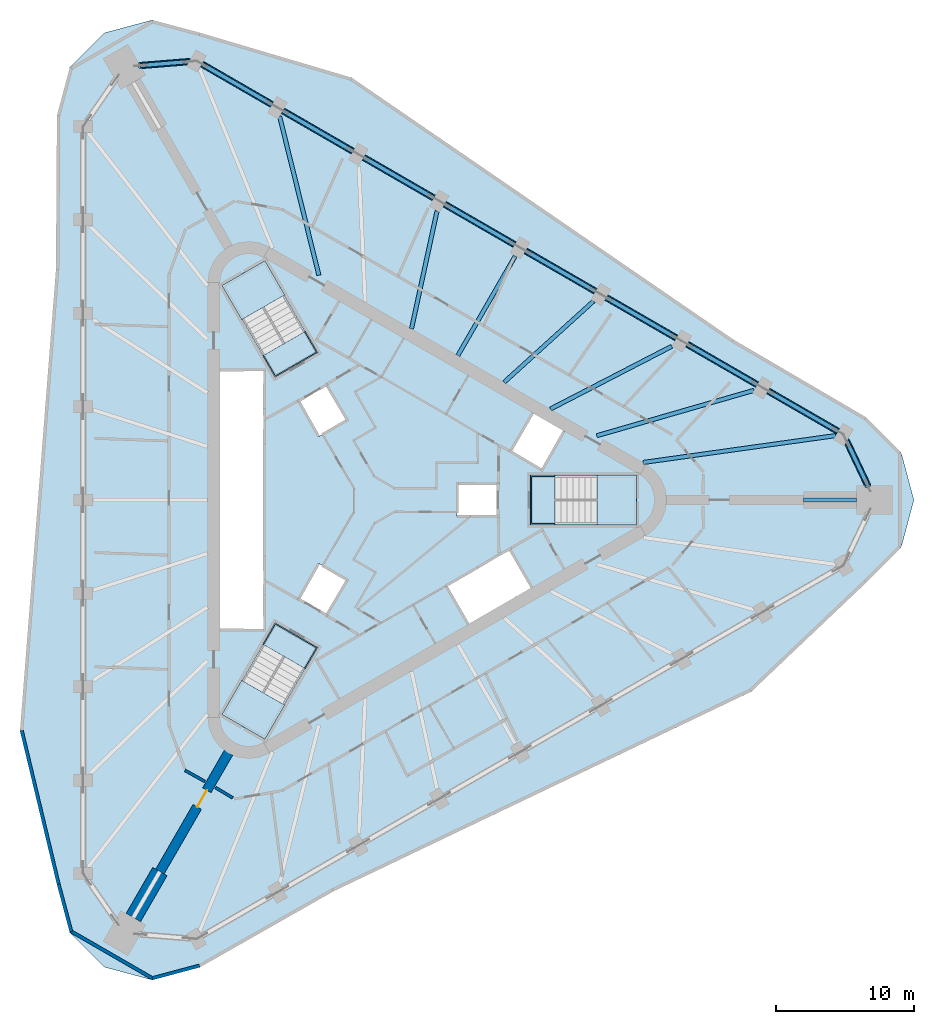
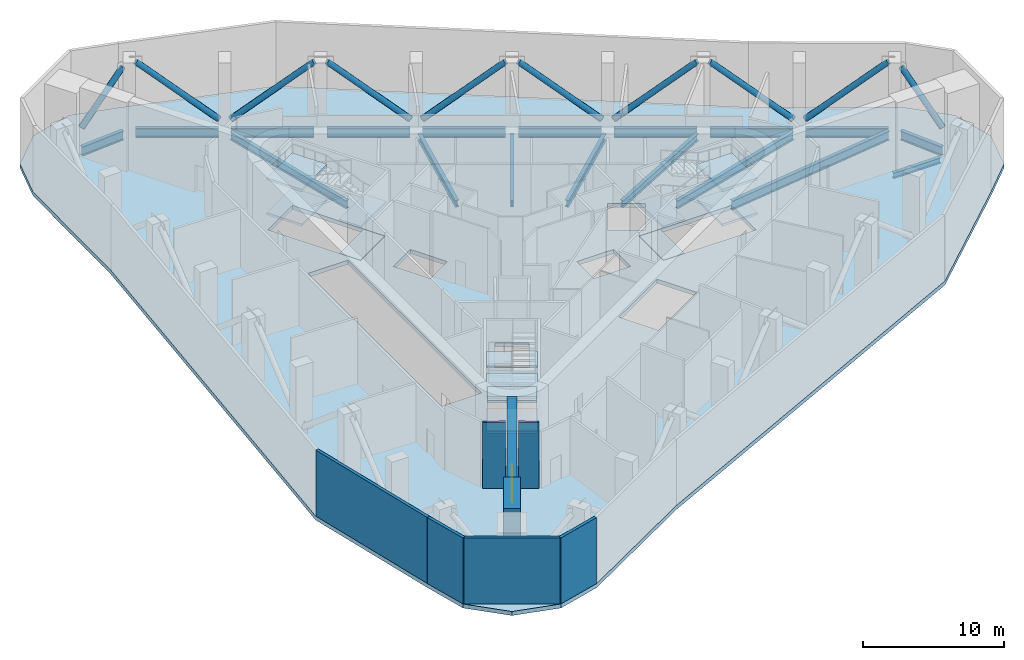
# One storey, part 2 of 12: 18 beams, 13 slabs, 10 members, 8 walls, 1 door, 1 opening, 3 elements without a shape of their own.
"""IFC4 building model written with IfcOpenShell, lengths in metres."""

from ifc_helpers import new_model, si_unit, direction, frame, frame_2d, origin, origin_2d, place, context, subcontext, project, spatial, polyline, rectangle, hollow_circle, i_section, outline, extrude, material, layer, layer_set, material_profile, profile_set, type_object, element, fill, aggregate, save


model = new_model("IFC4")

# Units and contexts
model_context = context("Model", 3, precision=1e-05, world=origin(), true_north=direction((0.0, 1.0)))
body_context = subcontext(model_context, "Body", "Model", "MODEL_VIEW")
ifc_project = project(units=[si_unit("LENGTHUNIT", "METRE"), si_unit("AREAUNIT", "SQUARE_METRE"), si_unit("VOLUMEUNIT", "CUBIC_METRE"), si_unit("PLANEANGLEUNIT", "RADIAN"), si_unit("MASSUNIT", "GRAM", prefix="KILO")], contexts=[model_context])

# Site, building, storey
site_placement = place(None, origin())
site = spatial("IfcSite", under=ifc_project, at=site_placement, CompositionType="ELEMENT")
building_placement = place(site_placement, origin())
building = spatial("IfcBuilding", under=site, at=building_placement, Name="Tanit Gate Tower", CompositionType="ELEMENT")
storey_placement = place(building_placement, frame((0.0, 0.0, 292.699951171875)))
storey = spatial("IfcBuildingStorey", under=building, at=storey_placement, Name="L65", CompositionType="ELEMENT", Elevation=292.699951171875)

# Beams
ifc_material_1 = material(Name="Steel S460", Category="steel")
ifc_material_profile_1 = material_profile(ifc_material_1, i_section(OverallWidth=0.302978515625, OverallDepth=0.81396484375, WebThickness=0.02099609375, FlangeThickness=0.0400390625, FilletRadius=0.030029296875, at=origin_2d()), Name="HEM 800")
ifc_profile_set_1 = profile_set([ifc_material_profile_1], Name="Steel S460")
beam_type_1 = type_object("IfcBeamType", Name="BELT TRUSS CHORD HEM 800 S460", PredefinedType="BEAM", material=ifc_profile_set_1)
beam_1_placement = place(storey_placement, frame((35.77197265625, 1.050048828125, -0.7568359375), z_axis=(-0.428790138655, 0.903404127172, 0.0), x_axis=(-0.903404127172, -0.428790138655, 0.0)))
element("IfcBeam", 1, at=beam_1_placement, inside=storey, type_object=beam_type_1, Name="BELT TRUSS CHORD", PredefinedType="BEAM", context=body_context, shape_type="SweptSolid", body=[
    extrude(i_section(OverallWidth=0.302978515625, OverallDepth=0.81396484375, WebThickness=0.02099609375, FlangeThickness=0.0400390625, FilletRadius=0.030029296875, at=origin_2d()), origin(), (0.0, 0.0, 1.0), 3.54833984375),
])
for number, where, z_axis, x_axis, name in (
    (2, (33.62646484375, 4.974609375, -0.7568359375), (-0.866023543838, 0.500003221507, 0.0), (-0.500003221507, -0.866023543838, 0.0), "BELT TRUSS CHORD"),
    (3, (27.762451171875, 8.360107421875, -0.7568359375), (-0.866023543838, 0.500003221507, 0.0), (-0.500003221507, -0.866023543838, 0.0), "BELT TRUSS CHORD"),
    (4, (21.898681640625, 11.74560546875, -0.7568359375), (-0.866023543838, 0.500003221507, 0.0), (-0.500003221507, -0.866023543838, 0.0), "BELT TRUSS CHORD"),
    (5, (16.034912109375, 15.131103515625, -0.7568359375), (-0.866023543838, 0.500003221507, 0.0), (-0.500003221507, -0.866023543838, 0.0), "BELT TRUSS CHORD"),
):
    element("IfcBeam", number, at=place(storey_placement, frame(where, z_axis=z_axis, x_axis=x_axis)), inside=storey, type_object=beam_type_1, Name=name, PredefinedType="BEAM", context=body_context, shape_type="SweptSolid", body=[
        extrude(i_section(OverallWidth=0.302978515625, OverallDepth=0.81396484375, WebThickness=0.02099609375, FlangeThickness=0.0400390625, FilletRadius=0.030029296875, at=origin_2d()), origin(), (0.0, 0.0, 1.0), 5.87109375),
    ])
beam_2_placement = place(storey_placement, frame((10.1708984375, 18.5166015625, -0.7568359375), z_axis=(-0.866013147201, 0.500021228425, 0.0), x_axis=(-0.500021228425, -0.866013147201, 0.0)))
element("IfcBeam", 6, at=beam_2_placement, inside=storey, type_object=beam_type_1, Name="BELT TRUSS CHORD", PredefinedType="BEAM", context=body_context, shape_type="SweptSolid", body=[
    extrude(i_section(OverallWidth=0.302978515625, OverallDepth=0.81396484375, WebThickness=0.02099609375, FlangeThickness=0.0400390625, FilletRadius=0.030029296875, at=origin_2d()), origin(), (0.0, 0.0, 1.0), 5.870849609375),
])
for number, where, z_axis, x_axis, name in (
    (7, (4.30712890625, 21.902099609375, -0.7568359375), (-0.866023543838, 0.500003221507, 0.0), (-0.500003221507, -0.866023543838, 0.0), "BELT TRUSS CHORD"),
    (8, (-1.556640625, 25.28759765625, -0.7568359375), (-0.866023543838, 0.500003221507, 0.0), (-0.500003221507, -0.866023543838, 0.0), "BELT TRUSS CHORD"),
    (9, (-7.42041015625, 28.673095703125, -0.7568359375), (-0.866023543838, 0.500003221507, 0.0), (-0.500003221507, -0.866023543838, 0.0), "BELT TRUSS CHORD"),
):
    element("IfcBeam", number, at=place(storey_placement, frame(where, z_axis=z_axis, x_axis=x_axis)), inside=storey, type_object=beam_type_1, Name=name, PredefinedType="BEAM", context=body_context, shape_type="SweptSolid", body=[
        extrude(i_section(OverallWidth=0.302978515625, OverallDepth=0.81396484375, WebThickness=0.02099609375, FlangeThickness=0.0400390625, FilletRadius=0.030029296875, at=origin_2d()), origin(), (0.0, 0.0, 1.0), 5.87109375),
    ])
beam_3_placement = place(storey_placement, frame((-13.439697265625, 31.78955078125, -0.7568359375), z_axis=(-0.996765644219, -0.080363241006, 0.0), x_axis=(0.080363241006, -0.996765644219, 0.0)))
element("IfcBeam", 10, at=beam_3_placement, inside=storey, type_object=beam_type_1, Name="BELT TRUSS CHORD", PredefinedType="BEAM", context=body_context, shape_type="SweptSolid", body=[
    extrude(i_section(OverallWidth=0.302978515625, OverallDepth=0.81396484375, WebThickness=0.02099609375, FlangeThickness=0.0400390625, FilletRadius=0.030029296875, at=origin_2d()), origin(), (0.0, 0.0, 1.0), 3.54833984375),
])

# Members
ifc_material_2 = material(Name="Steel S460", Category="steel")
ifc_material_profile_2 = material_profile(ifc_material_2, hollow_circle(Radius=0.228515625, WallThickness=0.02001953125, at=origin_2d()), Name="CHS 457x20")
ifc_profile_set_2 = profile_set([ifc_material_profile_2], Name="Steel S460")
member_type = type_object("IfcMemberType", Name="BELT TRUSS DIAGONAL CHS 457x20 S460", PredefinedType="BRACE", material=ifc_profile_set_2)
member_1_placement = place(storey_placement, frame((35.77197265625, 1.050048828125, 1.260009765625), z_axis=(-0.290710953711, 0.612489541436, 0.735080745921), x_axis=(-0.903404127172, -0.428790138655, 0.0)))
element("IfcMember", 11, at=member_1_placement, inside=storey, type_object=member_type, Name="BELT TRUSS DIAGONAL", PredefinedType="BRACE", context=body_context, shape_type="SweptSolid", body=[
    extrude(hollow_circle(Radius=0.228515625, WallThickness=0.02001953125, at=origin_2d()), origin(), (0.0, 0.0, 1.0), 5.233642578125),
])
for number, where, z_axis, x_axis, name in (
    (12, (33.62646484375, 4.974609375, 5.3212890625), (-0.662523631127, 0.382511482794, -0.644008853766), (-0.500003221507, -0.866023543838, 0.0), "BELT TRUSS DIAGONAL"),
    (13, (27.762451171875, 8.360107421875, 0.37890625), (-0.662505781858, 0.382519544829, 0.644022427272), (-0.500021228425, -0.866013147201, 0.0), "BELT TRUSS DIAGONAL"),
    (14, (21.898681640625, 11.74560546875, 5.3212890625), (-0.662523631127, 0.382511482794, -0.644008853766), (-0.500003221507, -0.866023543838, 0.0), "BELT TRUSS DIAGONAL"),
    (15, (16.034912109375, 15.131103515625, 0.37890625), (-0.662523631127, 0.382511482794, 0.644008853766), (-0.500003221507, -0.866023543838, 0.0), "BELT TRUSS DIAGONAL"),
    (16, (10.1708984375, 18.5166015625, 5.3212890625), (-0.662505781858, 0.382519544829, -0.644022427272), (-0.500021228425, -0.866013147201, 0.0), "BELT TRUSS DIAGONAL"),
    (17, (4.30712890625, 21.902099609375, 0.37890625), (-0.662523631127, 0.382511482794, 0.644008853766), (-0.500003221507, -0.866023543838, 0.0), "BELT TRUSS DIAGONAL"),
    (18, (-1.556640625, 25.28759765625, 5.3212890625), (-0.662523631127, 0.382511482794, -0.644008853766), (-0.500003221507, -0.866023543838, 0.0), "BELT TRUSS DIAGONAL"),
    (19, (-7.42041015625, 28.673095703125, 0.37890625), (-0.662523631127, 0.382511482794, 0.644008853766), (-0.500003221507, -0.866023543838, 0.0), "BELT TRUSS DIAGONAL"),
):
    element("IfcMember", number, at=place(storey_placement, frame(where, z_axis=z_axis, x_axis=x_axis)), inside=storey, type_object=member_type, Name=name, PredefinedType="BRACE", context=body_context, shape_type="SweptSolid", body=[
        extrude(hollow_circle(Radius=0.228515625, WallThickness=0.02001953125, at=origin_2d()), origin(), (0.0, 0.0, 1.0), 7.67431640625),
    ])
member_2_placement = place(storey_placement, frame((-13.439697265625, 31.78955078125, 5.107177734375), z_axis=(-0.675812222707, -0.054486689868, -0.735057168026), x_axis=(0.080363241006, -0.996765644219, 0.0)))
element("IfcMember", 20, at=member_2_placement, inside=storey, type_object=member_type, Name="BELT TRUSS DIAGONAL", PredefinedType="BRACE", context=body_context, shape_type="SweptSolid", body=[
    extrude(hollow_circle(Radius=0.228515625, WallThickness=0.02001953125, at=origin_2d()), origin(), (0.0, 0.0, 1.0), 5.2333984375),
])

# Beams
ifc_material_3 = material(Name="Steel S355", Category="steel")
ifc_material_profile_3 = material_profile(ifc_material_3, i_section(OverallWidth=0.300048828125, OverallDepth=0.489990234375, WebThickness=0.011962890625, FlangeThickness=0.02294921875, FilletRadius=0.027099609375, at=origin_2d()), Name="HEA 500")
ifc_profile_set_3 = profile_set([ifc_material_profile_3], Name="Steel S355")
beam_type_2 = type_object("IfcBeamType", Name="RADIAL GIRDER HEA 500 S355", PredefinedType="BEAM", material=ifc_profile_set_3)
beam_4_placement = place(storey_placement, frame((34.97021484375, 0.0, -0.594970703125), z_axis=(-1.0, 0.0, 0.0), x_axis=(0.0, -1.0, 0.0)))
element("IfcBeam", 21, at=beam_4_placement, inside=storey, type_object=beam_type_2, Name="RADIAL GIRDER", PredefinedType="BEAM", context=body_context, shape_type="SweptSolid", body=[
    extrude(i_section(OverallWidth=0.300048828125, OverallDepth=0.489990234375, WebThickness=0.011962890625, FlangeThickness=0.02294921875, FilletRadius=0.027099609375, at=origin_2d()), origin(), (0.0, 0.0, 1.0), 3.855712890625),
])
ifc_material_4 = material(Name="Steel S355", Category="steel")
ifc_material_profile_4 = material_profile(ifc_material_4, i_section(OverallWidth=0.300048828125, OverallDepth=0.68994140625, WebThickness=0.014404296875, FlangeThickness=0.027099609375, FilletRadius=0.027099609375, at=origin_2d()), Name="HEA 700")
ifc_profile_set_4 = profile_set([ifc_material_profile_4], Name="Steel S355")
beam_type_3 = type_object("IfcBeamType", Name="RADIAL GIRDER HEA 700 S355", PredefinedType="BEAM", material=ifc_profile_set_4)
beam_5_placement = place(storey_placement, frame((27.528564453125, 7.955078125, -0.695068359375), z_axis=(-0.960692598628, -0.277614356511, 0.0), x_axis=(0.277614356511, -0.960692598628, 0.0)))
element("IfcBeam", 22, at=beam_5_placement, inside=storey, type_object=beam_type_3, Name="RADIAL GIRDER", PredefinedType="BEAM", context=body_context, shape_type="SweptSolid", body=[
    extrude(i_section(OverallWidth=0.300048828125, OverallDepth=0.68994140625, WebThickness=0.014404296875, FlangeThickness=0.027099609375, FilletRadius=0.027099609375, at=origin_2d()), origin(), (0.0, 0.0, 1.0), 11.8642578125),
])
beam_6_placement = place(storey_placement, frame((-6.875, 27.818115234375, -0.695068359375), z_axis=(0.239929921854, -0.970790210395, 0.0), x_axis=(0.970790210395, 0.239929921854, 0.0)))
element("IfcBeam", 23, at=beam_6_placement, inside=storey, type_object=beam_type_3, Name="RADIAL GIRDER", PredefinedType="BEAM", context=body_context, shape_type="SweptSolid", body=[
    extrude(i_section(OverallWidth=0.300048828125, OverallDepth=0.68994140625, WebThickness=0.014404296875, FlangeThickness=0.027099609375, FilletRadius=0.027099609375, at=origin_2d()), origin(), (0.0, 0.0, 1.0), 11.86474609375),
])
ifc_material_5 = material(Name="Steel S355", Category="steel")
ifc_material_profile_5 = material_profile(ifc_material_5, i_section(OverallWidth=0.300048828125, OverallDepth=0.7900390625, WebThickness=0.014892578125, FlangeThickness=0.028076171875, FilletRadius=0.030029296875, at=origin_2d()), Name="HEA 800")
ifc_profile_set_5 = profile_set([ifc_material_profile_5], Name="Steel S355")
beam_type_4 = type_object("IfcBeamType", Name="RADIAL GIRDER HEA 800 S355", PredefinedType="BEAM", material=ifc_profile_set_5)
beam_7_placement = place(storey_placement, frame((33.450927734375, 4.6708984375, -0.744873046875), z_axis=(-0.990390390759, -0.138299941769, 0.0), x_axis=(0.138299941769, -0.990390390759, 0.0)))
element("IfcBeam", 24, at=beam_7_placement, inside=storey, type_object=beam_type_4, Name="RADIAL GIRDER", PredefinedType="BEAM", context=body_context, shape_type="SweptSolid", body=[
    extrude(i_section(OverallWidth=0.300048828125, OverallDepth=0.7900390625, WebThickness=0.014892578125, FlangeThickness=0.028076171875, FilletRadius=0.030029296875, at=origin_2d()), origin(), (0.0, 0.0, 1.0), 14.095947265625),
])
ifc_material_6 = material(Name="Steel S355", Category="steel")
ifc_material_profile_6 = material_profile(ifc_material_6, i_section(OverallWidth=0.300048828125, OverallDepth=0.60009765625, WebThickness=0.015380859375, FlangeThickness=0.030029296875, FilletRadius=0.027099609375, at=origin_2d()), Name="HEB 600")
ifc_profile_set_6 = profile_set([ifc_material_profile_6], Name="Steel S355")
beam_type_5 = type_object("IfcBeamType", Name="RADIAL GIRDER HEB 600 S355", PredefinedType="BEAM", material=ifc_profile_set_6)
beam_8_placement = place(storey_placement, frame((21.5498046875, 11.138916015625, -0.64990234375), z_axis=(-0.888343449029, -0.459179612534, 0.0), x_axis=(0.459179612534, -0.888343449029, 0.0)))
element("IfcBeam", 25, at=beam_8_placement, inside=storey, type_object=beam_type_5, Name="RADIAL GIRDER", PredefinedType="BEAM", context=body_context, shape_type="SweptSolid", body=[
    extrude(i_section(OverallWidth=0.300048828125, OverallDepth=0.60009765625, WebThickness=0.015380859375, FlangeThickness=0.030029296875, FilletRadius=0.027099609375, at=origin_2d()), origin(), (0.0, 0.0, 1.0), 9.882568359375),
])
beam_9_placement = place(storey_placement, frame((15.88037109375, 14.412109375, -0.64990234375), z_axis=(-0.740510084362, -0.672045247701, 0.0), x_axis=(0.672045247701, -0.740510084362, 0.0)))
element("IfcBeam", 26, at=beam_9_placement, inside=storey, type_object=beam_type_5, Name="RADIAL GIRDER", PredefinedType="BEAM", context=body_context, shape_type="SweptSolid", body=[
    extrude(i_section(OverallWidth=0.300048828125, OverallDepth=0.60009765625, WebThickness=0.015380859375, FlangeThickness=0.030029296875, FilletRadius=0.027099609375, at=origin_2d()), origin(), (0.0, 0.0, 1.0), 8.736572265625),
])
beam_10_placement = place(storey_placement, frame((10.210693359375, 17.685546875, -0.64990234375), z_axis=(-0.499995954789, -0.866027739276, 0.0), x_axis=(0.866027739276, -0.499995954789, 0.0)))
element("IfcBeam", 27, at=beam_10_placement, inside=storey, type_object=beam_type_5, Name="RADIAL GIRDER", PredefinedType="BEAM", context=body_context, shape_type="SweptSolid", body=[
    extrude(i_section(OverallWidth=0.300048828125, OverallDepth=0.60009765625, WebThickness=0.015380859375, FlangeThickness=0.030029296875, FilletRadius=0.027099609375, at=origin_2d()), origin(), (0.0, 0.0, 1.0), 8.3193359375),
])
beam_11_placement = place(storey_placement, frame((4.541259765625, 20.958740234375, -0.64990234375), z_axis=(-0.211767137826, -0.977320151914, 0.0), x_axis=(0.977320151914, -0.211767137826, 0.0)))
element("IfcBeam", 28, at=beam_11_placement, inside=storey, type_object=beam_type_5, Name="RADIAL GIRDER", PredefinedType="BEAM", context=body_context, shape_type="SweptSolid", body=[
    extrude(i_section(OverallWidth=0.300048828125, OverallDepth=0.60009765625, WebThickness=0.015380859375, FlangeThickness=0.030029296875, FilletRadius=0.027099609375, at=origin_2d()), origin(), (0.0, 0.0, 1.0), 8.736572265625),
])

# Stair, slabs
ifc_material_7 = material(Name="Concrete C40/50", Category="concrete")
stair_type = type_object("IfcStairType", Name="INT-STAIR-EXIT", PredefinedType="HALF_TURN_STAIR", material=ifc_material_7)
stair_1_placement = place(storey_placement, origin())
stair_1 = element("IfcStair", 29, at=stair_1_placement, inside=storey, type_object=stair_type, Name="L65 STAIR S1", PredefinedType="HALF_TURN_STAIR")
ifc_material_8 = material(Name="Concrete C40/50", Category="concrete")
ifc_layer_1 = layer(ifc_material_8, 0.199951171875)
ifc_layer_set_1 = layer_set([ifc_layer_1], Name="INT-STAIR-LANDING")
slab_type_1 = type_object("IfcSlabType", Name="INT-STAIR-LANDING", PredefinedType="LANDING", material=ifc_layer_set_1)
slab_1_placement = place(storey_placement, frame((0.0, 0.0, 1.300048828125)))
slab_1 = element("IfcSlab", 30, at=slab_1_placement, type_object=slab_type_1, Name="S1 landing 1", PredefinedType="LANDING", context=body_context, shape_type="SweptSolid", body=[
    extrude(outline(polyline([(16.135986328125, -1.800048828125), (19.0, -1.800048828125), (19.0, 1.800048828125), (16.135986328125, 1.800048828125), (16.135986328125, -1.800048828125)])), origin(), (0.0, 0.0, 1.0), 0.199951171875),
])
slab_2_placement = place(storey_placement, frame((0.0, 0.0, 2.800048828125)))
slab_2 = element("IfcSlab", 31, at=slab_2_placement, type_object=slab_type_1, Name="S1 landing 2", PredefinedType="LANDING", context=body_context, shape_type="SweptSolid", body=[
    extrude(outline(polyline([(11.300048828125, -1.800048828125), (13.10498046875, -1.800048828125), (13.10498046875, 1.800048828125), (11.300048828125, 1.800048828125), (11.300048828125, -1.800048828125)])), origin(), (0.0, 0.0, 1.0), 0.199951171875),
])
slab_3_placement = place(storey_placement, frame((0.0, 0.0, 4.300048828125)))
slab_3 = element("IfcSlab", 32, at=slab_3_placement, type_object=slab_type_1, Name="S1 landing 3", PredefinedType="LANDING", context=body_context, shape_type="SweptSolid", body=[
    extrude(outline(polyline([(16.135986328125, -1.800048828125), (19.0, -1.800048828125), (19.0, 1.800048828125), (16.135986328125, 1.800048828125), (16.135986328125, -1.800048828125)])), origin(), (0.0, 0.0, 1.0), 0.199951171875),
])
aggregate(stair_1, [slab_1, slab_2, slab_3])

# Slab
slab_4_placement = place(storey_placement, frame((0.0, 0.0, -0.199951171875)))
element("IfcSlab", 33, at=slab_4_placement, inside=storey, type_object=slab_type_1, Name="S1 floor landing", PredefinedType="LANDING", context=body_context, shape_type="SweptSolid", body=[
    extrude(outline(polyline([(11.3798828125, -1.719970703125), (13.10498046875, -1.719970703125), (13.10498046875, 1.719970703125), (11.3798828125, 1.719970703125), (11.3798828125, -1.719970703125)])), origin(), (0.0, 0.0, 1.0), 0.199951171875),
])

# Stair, slabs
stair_2_placement = place(storey_placement, origin())
stair_2 = element("IfcStair", 34, at=stair_2_placement, inside=storey, type_object=stair_type, Name="L65 STAIR S2", PredefinedType="HALF_TURN_STAIR")
slab_5_placement = place(storey_placement, frame((0.0, 0.0, 1.300048828125)))
slab_5 = element("IfcSlab", 35, at=slab_5_placement, type_object=slab_type_1, Name="S2 landing 1", PredefinedType="LANDING", context=body_context, shape_type="SweptSolid", body=[
    extrude(outline(polyline([(-6.5078125, 14.871826171875), (-7.941162109375, 17.3544921875), (-11.058837890625, 15.554443359375), (-9.62548828125, 13.07177734375), (-6.5078125, 14.871826171875)])), origin(), (0.0, 0.0, 1.0), 0.199951171875),
])
slab_6_placement = place(storey_placement, frame((0.0, 0.0, 2.800048828125)))
slab_6 = element("IfcSlab", 36, at=slab_6_placement, type_object=slab_type_1, Name="S2 landing 2", PredefinedType="LANDING", context=body_context, shape_type="SweptSolid", body=[
    extrude(outline(polyline([(-4.091064453125, 10.68603515625), (-4.9931640625, 12.248291015625), (-8.11083984375, 10.448486328125), (-7.208740234375, 8.885986328125), (-4.091064453125, 10.68603515625)])), origin(), (0.0, 0.0, 1.0), 0.199951171875),
])
slab_7_placement = place(storey_placement, frame((0.0, 0.0, 4.300048828125)))
slab_7 = element("IfcSlab", 37, at=slab_7_placement, type_object=slab_type_1, Name="S2 landing 3", PredefinedType="LANDING", context=body_context, shape_type="SweptSolid", body=[
    extrude(outline(polyline([(-6.5078125, 14.871826171875), (-7.941162109375, 17.3544921875), (-11.058837890625, 15.554443359375), (-9.62548828125, 13.07177734375), (-6.5078125, 14.871826171875)])), origin(), (0.0, 0.0, 1.0), 0.199951171875),
])
aggregate(stair_2, [slab_5, slab_6, slab_7])

# Slab
slab_8_placement = place(storey_placement, frame((0.0, 0.0, -0.199951171875)))
element("IfcSlab", 38, at=slab_8_placement, inside=storey, type_object=slab_type_1, Name="S2 floor landing", PredefinedType="LANDING", context=body_context, shape_type="SweptSolid", body=[
    extrude(outline(polyline([(-4.200439453125, 10.71533203125), (-5.0625, 12.20849609375), (-8.04150390625, 10.48828125), (-7.179443359375, 8.995361328125), (-4.200439453125, 10.71533203125)])), origin(), (0.0, 0.0, 1.0), 0.199951171875),
])

# Stair, slabs
stair_3_placement = place(storey_placement, origin())
stair_3 = element("IfcStair", 39, at=stair_3_placement, inside=storey, type_object=stair_type, Name="L65 STAIR S3", PredefinedType="HALF_TURN_STAIR")
slab_9_placement = place(storey_placement, frame((0.0, 0.0, 1.300048828125)))
slab_9 = element("IfcSlab", 40, at=slab_9_placement, type_object=slab_type_1, Name="S3 landing 1", PredefinedType="LANDING", context=body_context, shape_type="SweptSolid", body=[
    extrude(outline(polyline([(-9.626953125, -13.07421875), (-11.058837890625, -15.554443359375), (-7.941162109375, -17.3544921875), (-6.509033203125, -14.874267578125), (-9.626953125, -13.07421875)])), origin(), (0.0, 0.0, 1.0), 0.199951171875),
])
slab_10_placement = place(storey_placement, frame((0.0, 0.0, 2.800048828125)))
slab_10 = element("IfcSlab", 41, at=slab_10_placement, type_object=slab_type_1, Name="S3 landing 2", PredefinedType="LANDING", context=body_context, shape_type="SweptSolid", body=[
    extrude(outline(polyline([(-7.208740234375, -8.885986328125), (-8.111328125, -10.44921875), (-4.99365234375, -12.249267578125), (-4.091064453125, -10.68603515625), (-7.208740234375, -8.885986328125)])), origin(), (0.0, 0.0, 1.0), 0.199951171875),
])
slab_11_placement = place(storey_placement, frame((0.0, 0.0, 4.300048828125)))
slab_11 = element("IfcSlab", 42, at=slab_11_placement, type_object=slab_type_1, Name="S3 landing 3", PredefinedType="LANDING", context=body_context, shape_type="SweptSolid", body=[
    extrude(outline(polyline([(-9.626953125, -13.07421875), (-11.058837890625, -15.554443359375), (-7.941162109375, -17.3544921875), (-6.509033203125, -14.874267578125), (-9.626953125, -13.07421875)])), origin(), (0.0, 0.0, 1.0), 0.199951171875),
])
aggregate(stair_3, [slab_9, slab_10, slab_11])

# Slabs
slab_12_placement = place(storey_placement, frame((0.0, 0.0, -0.199951171875)))
element("IfcSlab", 43, at=slab_12_placement, inside=storey, type_object=slab_type_1, Name="S3 floor landing", PredefinedType="LANDING", context=body_context, shape_type="SweptSolid", body=[
    extrude(outline(polyline([(-7.179443359375, -8.995361328125), (-8.0419921875, -10.4892578125), (-5.06298828125, -12.209228515625), (-4.200439453125, -10.71533203125), (-7.179443359375, -8.995361328125)])), origin(), (0.0, 0.0, 1.0), 0.199951171875),
])
ifc_material_9 = material(Name="Concrete C35/45", Category="concrete")
ifc_layer_2 = layer(ifc_material_9, 0.35009765625)
ifc_layer_set_2 = layer_set([ifc_layer_2], Name="PLANT FLOOR SLAB 350 C35/45")
slab_type_2 = type_object("IfcSlabType", Name="PLANT FLOOR SLAB 350 C35/45", PredefinedType="FLOOR", material=ifc_layer_set_2)
slab_13_placement = place(storey_placement, frame((0.0, 0.0, -0.349853515625)))
element("IfcSlab", 44, at=slab_13_placement, inside=storey, type_object=slab_type_2, Name="FLOOR SLAB L65", PredefinedType="FLOOR", context=body_context, shape_type="SweptSolid", body=[
    extrude(outline(polyline([(35.658935546875, 5.9951171875), (38.19287109375, 3.461181640625), (39.1201171875, 0.0), (38.19287109375, -3.461181640625), (35.658935546875, -5.9951171875), (27.339111328125, -13.89208984375), (-2.942626953125, -28.364013671875), (-12.637451171875, -33.879150390625), (-16.098876953125, -34.806640625), (-19.56005859375, -33.879150390625), (-22.093994140625, -31.34521484375), (-23.021484375, -27.8837890625), (-25.7001953125, -16.73046875), (-23.092529296875, 16.73046875), (-23.021484375, 27.8837890625), (-22.093994140625, 31.34521484375), (-19.56005859375, 33.879150390625), (-16.098876953125, 34.806640625), (-12.637451171875, 33.879150390625), (-1.638671875, 30.622314453125), (26.03515625, 11.633544921875), (35.658935546875, 5.9951171875)]), holes=[polyline([(11.3701171875, 1.72998046875), (18.929931640625, 1.72998046875), (18.929931640625, -1.72998046875), (11.3701171875, -1.72998046875), (11.3701171875, 1.72998046875)]), polyline([(12.158935546875, 2.159912109375), (9.82080078125, 3.510009765625), (11.44580078125, 6.324462890625), (13.783935546875, 4.974609375), (12.158935546875, 2.159912109375)]), polyline([(11.44580078125, -6.324462890625), (6.76904296875, -9.0244140625), (5.14404296875, -6.2099609375), (9.82080078125, -3.510009765625), (11.44580078125, -6.324462890625)]), polyline([(6.0, 1.199951171875), (9.0, 1.199951171875), (9.0, -1.199951171875), (6.0, -1.199951171875), (6.0, 1.199951171875)]), polyline([(-4.039306640625, 4.59619140625), (-5.539306640625, 7.194091796875), (-3.460693359375, 8.394287109375), (-1.960693359375, 5.796142578125), (-4.039306640625, 4.59619140625)]), polyline([(-1.960693359375, -5.796142578125), (-3.460693359375, -8.394287109375), (-5.539306640625, -7.194091796875), (-4.039306640625, -4.59619140625), (-1.960693359375, -5.796142578125)]), polyline([(-7.18310546875, 8.981689453125), (-10.963134765625, 15.52880859375), (-7.966796875, 17.2587890625), (-4.186767578125, 10.711669921875), (-7.18310546875, 8.981689453125)]), polyline([(-4.186767578125, -10.711669921875), (-7.966796875, -17.2587890625), (-10.963134765625, -15.52880859375), (-7.18310546875, -8.981689453125), (-4.186767578125, -10.711669921875)]), polyline([(-11.199951171875, -9.449951171875), (-11.199951171875, 9.449951171875), (-7.949951171875, 9.449951171875), (-7.949951171875, -9.449951171875), (-11.199951171875, -9.449951171875)])]), origin(), (0.0, 0.0, 1.0), 0.349853515625),
])

# Wall, opening, door
ifc_material_10 = material(Name="Concrete C50/60", Category="concrete")
ifc_layer_3 = layer(ifc_material_10, 0.699951171875)
ifc_layer_set_3 = layer_set([ifc_layer_3], Name="BUTTRESS FIN 700 C50/60")
wall_type_1 = type_object("IfcWallType", Name="BUTTRESS FIN 700 C50/60", PredefinedType="SHEAR", material=ifc_layer_set_3)
wall_1_placement = place(storey_placement, frame((-10.574951171875, -18.31640625, 0.0), z_axis=(0.0, 0.0, 1.0), x_axis=(-0.500007350791, -0.866021159762, 0.0)))
wall_1 = element("IfcWall", 45, at=wall_1_placement, inside=storey, type_object=wall_type_1, Name="BUTTRESS FIN", PredefinedType="SHEAR", context=body_context, shape_type="SweptSolid", body=[
    extrude(rectangle(XDim=9.964599609375, YDim=0.699951171875, at=frame_2d((4.982421875, 0.0))), origin(), (0.0, 0.0, 1.0), 6.0),
])
opening_placement = place(wall_1_placement, frame((3.14990234375, 0.0, 0.0)))
opening = element("IfcOpeningElement", 46, at=opening_placement, cuts=wall_1, Name="Opening P14-65-F-SW-1", PredefinedType="OPENING", context=body_context, shape_type="SweptSolid", body=[
    extrude(rectangle(XDim=1.39990234375, YDim=2.39990234375, at=frame_2d((0.699951171875, 1.199951171875))), frame((0.0, 0.35986328125, 0.0), z_axis=(0.0, -1.0, 0.0), x_axis=(1.0, 0.0, 0.0)), (0.0, 0.0, 1.0), 0.719970703125),
])
ifc_material_11 = material(Name="Timber door leaf", Category="wood")
door_type = type_object("IfcDoorType", Name="INT-DOOR-FIN-PAIR-1400", OperationType="NOTDEFINED", PredefinedType="NOTDEFINED", material=ifc_material_11)
door_placement = place(opening_placement, origin())
door = element("IfcDoor", 47, at=door_placement, inside=storey, type_object=door_type, Name="Door P14-65-F-SW-1", OperationType="DOUBLE_DOOR_SINGLE_SWING", OverallHeight=2.39990234375, OverallWidth=1.39990234375, PredefinedType="NOTDEFINED", context=body_context, shape_type="SweptSolid", body=[
    extrude(rectangle(XDim=1.39990234375, YDim=2.39990234375, at=frame_2d((0.699951171875, 1.199951171875))), frame((0.0, 0.02490234375, 0.0), z_axis=(0.0, -1.0, 0.0), x_axis=(1.0, 0.0, 0.0)), (0.0, 0.0, 1.0), 0.050048828125),
])
fill(opening, door)

# Walls
ifc_material_12 = material(Name="Concrete C30/37 with bronze anodised aluminium cladding", Category="concrete")
ifc_layer_4 = layer(ifc_material_12, 0.239990234375)
ifc_layer_set_4 = layer_set([ifc_layer_4], Name="Facade wall bronze clad 240")
wall_type_2 = type_object("IfcWallType", Name="Facade wall bronze clad 240", PredefinedType="SOLIDWALL", material=ifc_layer_set_4)
wall_2_placement = place(storey_placement, frame((-25.5791015625, -16.720703125, 0.0), z_axis=(0.0, 0.0, 1.0), x_axis=(0.233535038242, -0.972348387109, 0.0)))
element("IfcWall", 48, at=wall_2_placement, inside=storey, type_object=wall_type_2, Name="Bronze-clad facade wall L65 W3", PredefinedType="SOLIDWALL", context=body_context, shape_type="SweptSolid", body=[
    extrude(rectangle(XDim=11.450439453125, YDim=0.239990234375, at=frame_2d((5.72509765625, 0.0))), origin(), (0.0, 0.0, 1.0), 5.699951171875),
])
wall_3_placement = place(storey_placement, frame((-22.905029296875, -27.8544921875, 0.0), z_axis=(0.0, 0.0, 1.0), x_axis=(0.258814010312, -0.965927175343, 0.0)))
element("IfcWall", 49, at=wall_3_placement, inside=storey, type_object=wall_type_2, Name="Bronze-clad facade wall L65 SW.arc1", PredefinedType="SOLIDWALL", context=body_context, shape_type="SweptSolid", body=[
    extrude(rectangle(XDim=3.549560546875, YDim=0.239990234375, at=frame_2d((1.77490234375, 0.0))), origin(), (0.0, 0.0, 1.0), 5.699951171875),
])
wall_4_placement = place(storey_placement, frame((-21.986328125, -31.283203125, 0.0), z_axis=(0.0, 0.0, 1.0), x_axis=(0.866022320763, -0.500005339912, 0.0)))
element("IfcWall", 50, at=wall_4_placement, inside=storey, type_object=wall_type_2, Name="Bronze-clad facade wall L65 SW.arc2", PredefinedType="SOLIDWALL", context=body_context, shape_type="SweptSolid", body=[
    extrude(rectangle(XDim=6.79833984375, YDim=0.239990234375, at=frame_2d((3.399169921875, 0.0))), origin(), (0.0, 0.0, 1.0), 5.699951171875),
])
wall_5_placement = place(storey_placement, frame((-16.098876953125, -34.682373046875, 0.0), z_axis=(0.0, 0.0, 1.0), x_axis=(0.965919080444, 0.258844219627, 0.0)))
element("IfcWall", 51, at=wall_5_placement, inside=storey, type_object=wall_type_2, Name="Bronze-clad facade wall L65 SW.arc3", PredefinedType="SOLIDWALL", context=body_context, shape_type="SweptSolid", body=[
    extrude(rectangle(XDim=3.5361328125, YDim=0.239990234375, at=frame_2d((1.76806640625, 0.0))), origin(), (0.0, 0.0, 1.0), 5.699951171875),
])
ifc_material_13 = material(Name="Fire-rated gypsum board partition")
ifc_layer_5 = layer(ifc_material_13, 0.199951171875)
ifc_layer_set_5 = layer_set([ifc_layer_5], Name="INT-WALL-COMPARTMENT")
wall_type_3 = type_object("IfcWallType", Name="INT-WALL-COMPARTMENT", PredefinedType="PARTITIONING", material=ifc_layer_set_5)
wall_6_placement = place(storey_placement, frame((-13.7353515625, -19.605712890625, 0.0), z_axis=(0.0, 0.0, 1.0), x_axis=(0.873202114915, -0.487358252733, 0.0)))
element("IfcWall", 52, at=wall_6_placement, inside=storey, type_object=wall_type_3, Name="Wall Compartment W098", PredefinedType="PARTITIONING", context=body_context, shape_type="SweptSolid", body=[
    extrude(rectangle(XDim=1.642578125, YDim=0.199951171875, at=frame_2d((0.8212890625, 0.0))), origin(), (0.0, 0.0, 1.0), 5.699951171875),
])
wall_7_placement = place(storey_placement, frame((-11.521728515625, -20.856201171875, 0.0), z_axis=(0.0, 0.0, 1.0), x_axis=(0.858662468137, -0.512541477163, 0.0)))
element("IfcWall", 53, at=wall_7_placement, inside=storey, type_object=wall_type_3, Name="Wall Compartment W122", PredefinedType="PARTITIONING", context=body_context, shape_type="SweptSolid", body=[
    extrude(rectangle(XDim=1.452392578125, YDim=0.199951171875, at=frame_2d((0.72607421875, 0.0))), origin(), (0.0, 0.0, 1.0), 5.699951171875),
])
ifc_material_14 = material(Name="Concrete C50/60", Category="concrete")
ifc_layer_6 = layer(ifc_material_14, 1.199951171875)
ifc_layer_set_6 = layer_set([ifc_layer_6], Name="OUTRIGGER WALL 1200 C50/60")
wall_type_4 = type_object("IfcWallType", Name="OUTRIGGER WALL 1200 C50/60", PredefinedType="SHEAR", material=ifc_layer_set_6)
wall_8_placement = place(storey_placement, frame((-15.557373046875, -26.946044921875, -0.349853515625), z_axis=(0.0, 0.0, 1.0), x_axis=(-0.499980071345, -0.866036909293, 0.0)))
element("IfcWall", 54, at=wall_8_placement, inside=storey, type_object=wall_type_4, Name="OUTRIGGER WALL", PredefinedType="SHEAR", context=body_context, shape_type="SweptSolid", body=[
    extrude(rectangle(XDim=3.855712890625, YDim=1.199951171875, at=frame_2d((1.927734375, 0.0))), origin(), (0.0, 0.0, 1.0), 6.349853515625),
])

save(model, "model.ifc")
